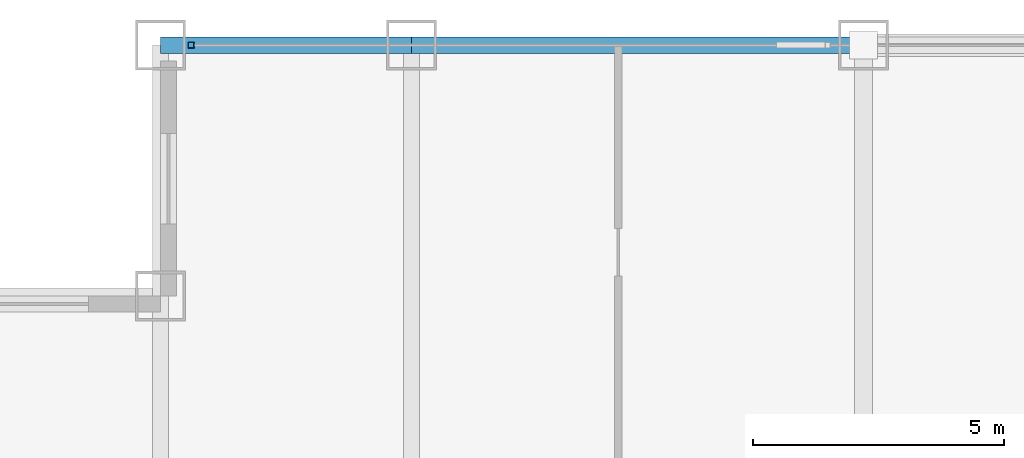
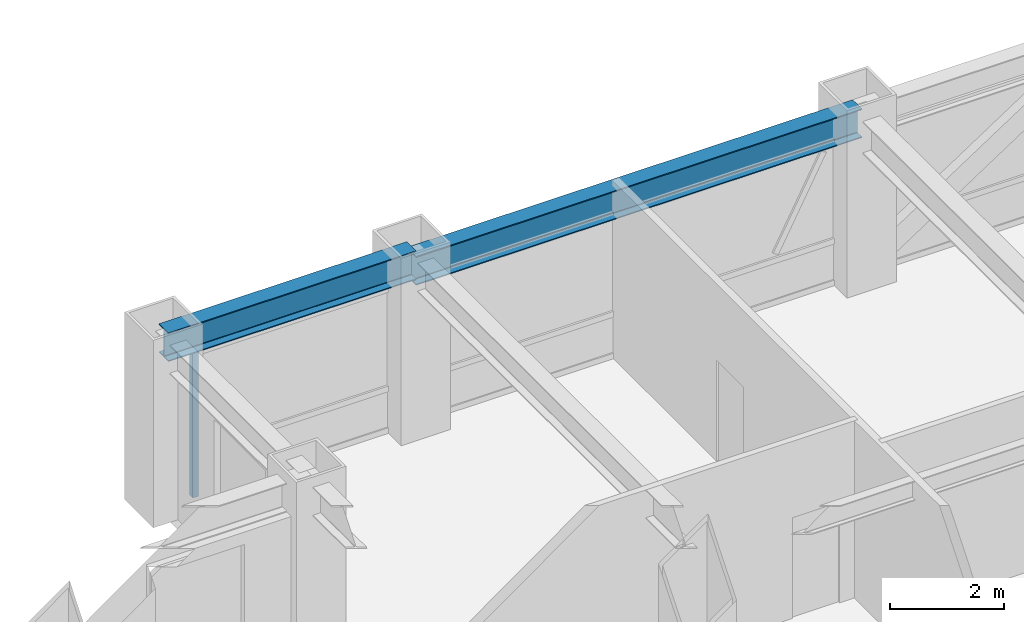
# One storey, part 14 of 24: 2 beams, 1 member, 1 element without a shape of its own.
"""IFC4 building model written with IfcOpenShell, lengths in metres."""

import ifcopenshell
import ifcopenshell.guid

model = None  # the IFC model being written
_history = None  # IfcOwnerHistory: only IFC2X3 demands one
_inside = {}  # id of a spatial element -> (the spatial element, [elements in it])
_under = {}  # id of a project, library or spatial element -> (it, [spatial elements below it])
_declared = {}  # id of a project -> (the project, [libraries it declares])
_typed = {}  # id of a type object -> (the type object, [elements of that type])
_made_of = {}  # id of a material, layer set ... -> (it, [elements and type objects made of it])


def new_model(schema):
    """Start an empty IFC model of exactly this schema.

    Asked for "IFC4X3", IfcOpenShell would pick the latest addendum, in which some entities
    have other attributes; the version numbers below select the first issue.
    IFC2X3 requires an IfcOwnerHistory on every rooted entity: one is made here for all.
    """
    global model, _history
    if schema == "IFC4X3":
        model = ifcopenshell.file(schema_version=(4, 3, 0, 0))
    else:
        model = ifcopenshell.file(schema=schema)
    _inside.clear()
    _under.clear()
    _declared.clear()
    _typed.clear()
    _made_of.clear()
    _history = None
    if model.schema == "IFC2X3":
        org = make("IfcOrganization", Name="unknown")
        user = make(
            "IfcPersonAndOrganization",
            ThePerson=make("IfcPerson", FamilyName="unknown"),
            TheOrganization=org,
        )
        app = make(
            "IfcApplication",
            ApplicationDeveloper=org,
            Version="unknown",
            ApplicationFullName="unknown",
            ApplicationIdentifier="unknown",
        )
        _history = make(
            "IfcOwnerHistory",
            OwningUser=user,
            OwningApplication=app,
            ChangeAction="ADDED",
            CreationDate=0,
        )
    return model


def make(cls, **values):
    """One entity of the class cls with the attributes given. An attribute that is None is left unset."""
    return model.create_entity(
        cls, **{name: value for name, value in values.items() if value is not None}
    )


def rooted(cls, **values):
    """An entity with a GlobalId (a new one), such as an element, a storey or a relation."""
    return make(cls, GlobalId=ifcopenshell.guid.new(), OwnerHistory=_history, **values)


def si_unit(unit_type, name, prefix=None):
    """IfcSIUnit, for example si_unit("LENGTHUNIT", "METRE", prefix="MILLI")."""
    return make("IfcSIUnit", UnitType=unit_type, Prefix=prefix, Name=name)


def assignment(units):
    """IfcUnitAssignment: the units of a project."""
    return None if units is None else make("IfcUnitAssignment", Units=units)


def point(xyz):
    """IfcCartesianPoint."""
    return None if xyz is None else make("IfcCartesianPoint", Coordinates=xyz)


def direction(xyz):
    """IfcDirection."""
    return None if xyz is None else make("IfcDirection", DirectionRatios=xyz)


def frame(location, z_axis=None, x_axis=None):
    """IfcAxis2Placement3D, a coordinate frame: its origin and axes. An axis left out is left unset."""
    return make(
        "IfcAxis2Placement3D",
        Location=point(location),
        Axis=direction(z_axis),
        RefDirection=direction(x_axis),
    )


def frame_2d(location, x_axis=None):
    """IfcAxis2Placement2D, a coordinate frame in the plane: its origin and x axis."""
    return make(
        "IfcAxis2Placement2D", Location=point(location), RefDirection=direction(x_axis)
    )


def origin():
    """The frame at (0, 0, 0) with its axes left unset."""
    return frame((0.0, 0.0, 0.0))


def origin_2d():
    """The frame at (0, 0) in the plane with its x axis left unset."""
    return frame_2d((0.0, 0.0))


def place(relative_to, where):
    """IfcLocalPlacement: puts the frame where relative to a parent placement (None: the world)."""
    return make(
        "IfcLocalPlacement", PlacementRelTo=relative_to, RelativePlacement=where
    )


def context(
    kind, dimensions, precision=None, world=None, true_north=None, identifier=None
):
    """IfcGeometricRepresentationContext, for example the 3D "Model" context."""
    return make(
        "IfcGeometricRepresentationContext",
        ContextIdentifier=identifier,
        ContextType=kind,
        CoordinateSpaceDimension=dimensions,
        Precision=precision,
        WorldCoordinateSystem=world,
        TrueNorth=true_north,
    )


def subcontext(parent, identifier, kind, view, scale=None):
    """IfcGeometricRepresentationSubContext, for example "Body" below "Model"."""
    return make(
        "IfcGeometricRepresentationSubContext",
        ContextIdentifier=identifier,
        ContextType=kind,
        ParentContext=parent,
        TargetScale=scale,
        TargetView=view,
    )


def project(units=None, contexts=None):
    """IfcProject with its units and contexts."""
    return rooted(
        "IfcProject",
        Name="project",
        RepresentationContexts=contexts,
        UnitsInContext=assignment(units),
    )


def spatial(cls, under=None, at=None, **own):
    """A site, building, storey or space (cls), placed at a placement, below another one or the project."""
    s = rooted(cls, ObjectPlacement=at, **own)
    if under is not None:
        _under.setdefault(under.id(), (under, []))[1].append(s)
    return s


def profile(cls, at=None, kind="AREA", **sizes):
    """A parametric profile (cls). Its sizes go by their IFC names, for example OverallWidth=200.0."""
    return make(cls, ProfileType=kind, Position=at, **sizes)


def hollow_rectangle(**sizes):
    """IfcRectangleHollowProfileDef."""
    return profile("IfcRectangleHollowProfileDef", **sizes)


def i_section(**sizes):
    """IfcIShapeProfileDef."""
    return profile("IfcIShapeProfileDef", **sizes)


def extrude(swept, where, along, depth):
    """IfcExtrudedAreaSolid: the profile swept, set in the frame where, extruded along a direction by depth."""
    return make(
        "IfcExtrudedAreaSolid",
        SweptArea=swept,
        Position=where,
        ExtrudedDirection=direction(along),
        Depth=depth,
    )


def shape(context_of_items, identifier, shape_type, items):
    """IfcShapeRepresentation: the items that make up one representation, for example the "Body"."""
    return make(
        "IfcShapeRepresentation",
        ContextOfItems=context_of_items,
        RepresentationIdentifier=identifier,
        RepresentationType=shape_type,
        Items=items,
    )


def source(mapping_origin, context_of_items, identifier, shape_type, items):
    """IfcRepresentationMap: a shape defined once, which mapped items show again and again."""
    return make(
        "IfcRepresentationMap",
        MappingOrigin=mapping_origin,
        MappedRepresentation=shape(context_of_items, identifier, shape_type, items),
    )


def transform(
    local_origin,
    x_axis=None,
    y_axis=None,
    z_axis=None,
    scale=None,
    scale2=None,
    scale3=None,
    uniform=True,
):
    """IfcCartesianTransformationOperator3D, or its non-uniform kind. x_axis, y_axis, z_axis: its Axis1, 2, 3."""
    if uniform:
        return make(
            "IfcCartesianTransformationOperator3D",
            Axis1=direction(x_axis),
            Axis2=direction(y_axis),
            LocalOrigin=point(local_origin),
            Scale=scale,
            Axis3=direction(z_axis),
        )
    return make(
        "IfcCartesianTransformationOperator3DnonUniform",
        Axis1=direction(x_axis),
        Axis2=direction(y_axis),
        LocalOrigin=point(local_origin),
        Scale=scale,
        Axis3=direction(z_axis),
        Scale2=scale2,
        Scale3=scale3,
    )


def mapped(mapping_source, mapping_target):
    """IfcMappedItem: shows the shape of a source again, moved by a transform."""
    return make(
        "IfcMappedItem", MappingSource=mapping_source, MappingTarget=mapping_target
    )


def material(Name=None, Category=None):
    """IfcMaterial."""
    return make("IfcMaterial", Name=Name, Category=Category)


def material_profile(
    of_material, cross_section, Name=None, Category=None, Priority=None
):
    """IfcMaterialProfile: a cross section and its material."""
    return make(
        "IfcMaterialProfile",
        Name=Name,
        Material=of_material,
        Profile=cross_section,
        Priority=Priority,
        Category=Category,
    )


def profile_set(profiles, Name=None, composite=None):
    """IfcMaterialProfileSet."""
    return make(
        "IfcMaterialProfileSet",
        Name=Name,
        MaterialProfiles=profiles,
        CompositeProfile=composite,
    )


def made_of(thing, what):
    """Note that an element or type object is made of a material, layer set ...; save() writes the relation."""
    if what is not None:
        _made_of.setdefault(what.id(), (what, []))[1].append(thing)
    return thing


def type_object(cls, material=None, **own):
    """A type object (cls), such as IfcWallType, which elements share."""
    return made_of(rooted(cls, **own), material)


def element(
    cls,
    number,
    at=None,
    inside=None,
    cuts=None,
    type_object=None,
    material=None,
    context=None,
    identifier="Body",
    shape_type=None,
    held_by="IfcProductDefinitionShape",
    body=None,
    shapes=None,
    **own,
):
    """One element of the class cls, such as IfcWall. Its Tag is "e" and its number.

    at: its placement. inside: the storey or other place that contains it. cuts: it is an
    opening in that element (IfcRelVoidsElement). A single representation is given by context,
    identifier, shape_type and body (its items); several are given by shapes. held_by: the class
    of the entity that holds the representations. save() writes the other relations.
    """
    e = rooted(cls, Tag="e%d" % number, ObjectPlacement=at, **own)
    if body is not None:
        shapes = [shape(context, identifier, shape_type, body)]
    if shapes is not None:
        e.Representation = make(held_by, Representations=shapes)
    if inside is not None:
        _inside.setdefault(inside.id(), (inside, []))[1].append(e)
    if cuts is not None:
        rooted(
            "IfcRelVoidsElement", RelatingBuildingElement=cuts, RelatedOpeningElement=e
        )
    if type_object is not None:
        _typed.setdefault(type_object.id(), (type_object, []))[1].append(e)
    return made_of(e, material)


def aggregate(whole, parts):
    """IfcRelAggregates: a whole, such as a stair, and the parts it consists of."""
    return rooted("IfcRelAggregates", RelatingObject=whole, RelatedObjects=parts)


def save(model, path):
    """Write the relations noted so far, then the file.

    IfcRelAggregates (storeys below a building ...), IfcRelContainedInSpatialStructure (elements
    in a storey), IfcRelDefinesByType, IfcRelAssociatesMaterial and IfcRelDeclares: one each for
    every whole, place, type object, material and project.
    """
    for whole, parts in _under.values():
        aggregate(whole, parts)
    for where, things in _inside.values():
        rooted(
            "IfcRelContainedInSpatialStructure",
            RelatedElements=things,
            RelatingStructure=where,
        )
    for kind, things in _typed.values():
        rooted("IfcRelDefinesByType", RelatedObjects=things, RelatingType=kind)
    for what, things in _made_of.values():
        rooted("IfcRelAssociatesMaterial", RelatedObjects=things, RelatingMaterial=what)
    for by, libraries in _declared.values():
        rooted("IfcRelDeclares", RelatingContext=by, RelatedDefinitions=libraries)
    model.write(path)


model = new_model("IFC4")

# Units and contexts
model_context = context("Model", 3, precision=1e-05, world=origin(), true_north=direction((0.0, 1.0)))
body_context = subcontext(model_context, "Body", "Model", "MODEL_VIEW")
ifc_project = project(units=[si_unit("LENGTHUNIT", "METRE"), si_unit("AREAUNIT", "SQUARE_METRE"), si_unit("VOLUMEUNIT", "CUBIC_METRE"), si_unit("PLANEANGLEUNIT", "RADIAN"), si_unit("MASSUNIT", "GRAM", prefix="KILO")], contexts=[model_context])

# Site, building, storey
site_placement = place(None, origin())
site = spatial("IfcSite", under=ifc_project, at=site_placement, CompositionType="ELEMENT")
building_placement = place(site_placement, origin())
building = spatial("IfcBuilding", under=site, at=building_placement, Name="Khorayat Bourse Tower", CompositionType="ELEMENT")
storey_placement = place(building_placement, frame((0.0, 0.0, 259.10009765625)))
storey = spatial("IfcBuildingStorey", under=building, at=storey_placement, Name="L61", CompositionType="ELEMENT", Elevation=259.10009765625)

# Beams
ifc_material_1 = material(Name="Steel ASTM A992 Grade 50", Category="steel")
ifc_material_profile_1 = material_profile(ifc_material_1, i_section(OverallWidth=0.324951171875, OverallDepth=0.615966796875, WebThickness=0.013916015625, FlangeThickness=0.021484375, FilletRadius=0.01611328125, at=origin_2d()), Name="W610X174")
ifc_profile_set_1 = profile_set([ifc_material_profile_1], Name="Steel ASTM A992 Grade 50")
beam_type = type_object("IfcBeamType", Name="BM-SPAN-610", PredefinedType="SPANDREL", material=ifc_profile_set_1)
shared_shape_1 = source(origin(), body_context, "Body", "SweptSolid", [
    extrude(i_section(OverallWidth=0.324951171875, OverallDepth=0.615966796875, WebThickness=0.013916015625, FlangeThickness=0.021484375, FilletRadius=0.01611328125, at=origin_2d()), origin(), (0.0, 0.0, 1.0), 9.0),
])
beam_1_placement = place(storey_placement, frame((-20.0, 30.0, 3.351806640625), z_axis=(1.0, 0.0, 0.0), x_axis=(0.0, 1.0, 0.0)))
element("IfcBeam", 1, at=beam_1_placement, inside=storey, type_object=beam_type, Name="L61 BM-SPAN-610 BM-L61-SPN-050", PredefinedType="SPANDREL", context=body_context, shape_type="MappedRepresentation", body=[
    mapped(shared_shape_1, transform((0.0, 0.0, 0.0), scale=1.0)),
])
shared_shape_2 = source(origin(), body_context, "Body", "SweptSolid", [
    extrude(i_section(OverallWidth=0.324951171875, OverallDepth=0.615966796875, WebThickness=0.013916015625, FlangeThickness=0.021484375, FilletRadius=0.01611328125, at=origin_2d()), origin(), (0.0, 0.0, 1.0), 5.0),
])
beam_2_placement = place(storey_placement, frame((-25.0, 30.0, 3.471923828125), z_axis=(1.0, 0.0, 0.0), x_axis=(0.0, 1.0, 0.0)))
element("IfcBeam", 2, at=beam_2_placement, inside=storey, type_object=beam_type, Name="L61 BM-SPAN-610 BM-L61-SPN-051", PredefinedType="SPANDREL", context=body_context, shape_type="MappedRepresentation", body=[
    mapped(shared_shape_2, transform((0.0, 0.0, 0.0), scale=1.0)),
])

# Curtain wall, member
ifc_material_2 = material(Name="Aluminium EN AW-6063 T6", Category="aluminium")
curtain_wall_type = type_object("IfcCurtainWallType", Name="CW-SYS-03", PredefinedType="NOTDEFINED", material=ifc_material_2)
curtain_wall_placement = place(storey_placement, origin())
curtain_wall = element("IfcCurtainWall", 3, at=curtain_wall_placement, inside=storey, type_object=curtain_wall_type, Name="L61 Curtain Wall CW-L61-N1", PredefinedType="NOTDEFINED")
ifc_material_profile_2 = material_profile(ifc_material_2, hollow_rectangle(XDim=0.1201171875, YDim=0.1201171875, WallThickness=0.0048828125, at=origin_2d()), Name="ALU 120x120x5")
ifc_profile_set_2 = profile_set([ifc_material_profile_2], Name="Aluminium EN AW-6063 T6")
member_type = type_object("IfcMemberType", Name="CWM-VERT-120", PredefinedType="MULLION", material=ifc_profile_set_2)
shared_shape_3 = source(origin(), body_context, "Body", "SweptSolid", [
    extrude(hollow_rectangle(XDim=0.1201171875, YDim=0.1201171875, WallThickness=0.0048828125, at=origin_2d()), origin(), (0.0, 0.0, 1.0), 3.1298828125),
])
member_placement = place(storey_placement, frame((-24.389892578125, 30.0, 0.0), z_axis=(0.0, 0.0, 1.0), x_axis=(0.0, 1.0, 0.0)))
member = element("IfcMember", 4, at=member_placement, type_object=member_type, Name="CW-L61-N1 Vertical Mullion 1", PredefinedType="MULLION", context=body_context, shape_type="MappedRepresentation", body=[
    mapped(shared_shape_3, transform((0.0, 0.0, 0.0), scale=1.0)),
])
aggregate(curtain_wall, [member])

save(model, "model.ifc")
